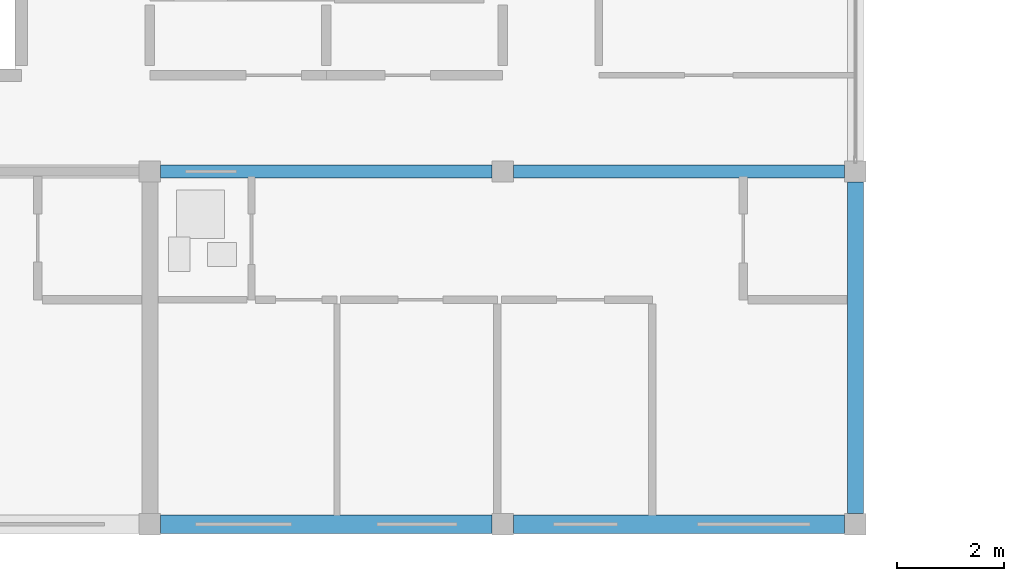
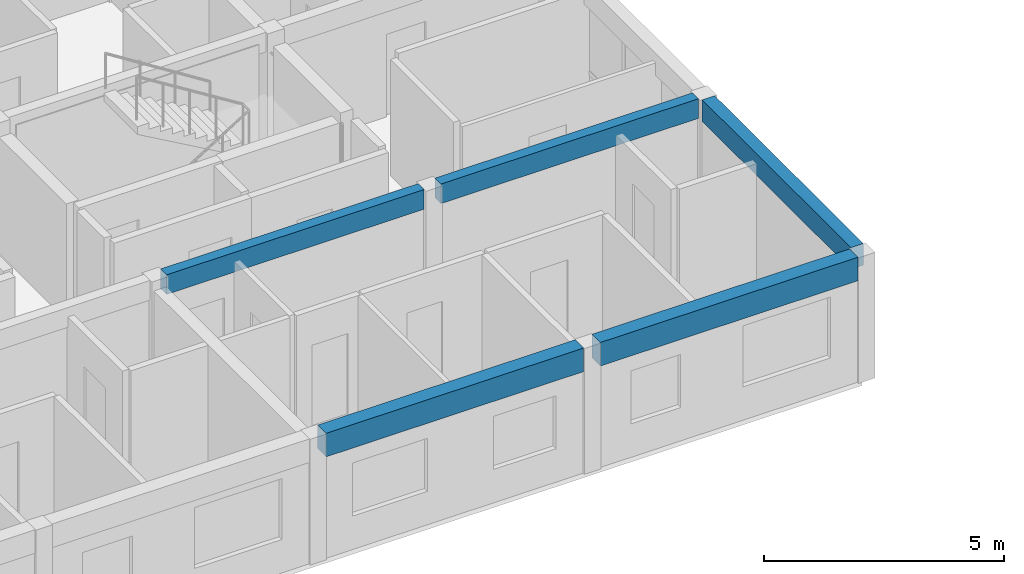
# One storey, part 7 of 45: 5 beams.
"""IFC4 building model written with IfcOpenShell, lengths in metres."""

from ifc_helpers import new_model, si_unit, direction, frame, origin, origin_2d, place, context, subcontext, project, spatial, rectangle, extrude, material, material_profile, profile_set, type_object, element, save


model = new_model("IFC4")

# Units and contexts
model_context = context("Model", 3, precision=1e-05, world=origin(), true_north=direction((0.0, 1.0)))
body_context = subcontext(model_context, "Body", "Model", "MODEL_VIEW")
ifc_project = project(units=[si_unit("LENGTHUNIT", "METRE"), si_unit("AREAUNIT", "SQUARE_METRE"), si_unit("VOLUMEUNIT", "CUBIC_METRE"), si_unit("PLANEANGLEUNIT", "RADIAN"), si_unit("MASSUNIT", "GRAM", prefix="KILO")], contexts=[model_context])

# Site, building, storey
site_placement = place(None, origin())
site = spatial("IfcSite", under=ifc_project, at=site_placement, CompositionType="ELEMENT")
building_placement = place(site_placement, origin())
building = spatial("IfcBuilding", under=site, at=building_placement, Name="Kernevlak Ridge Housing Community", CompositionType="ELEMENT")
storey_placement = place(building_placement, frame((0.0, 0.0, 14.800048828125)))
storey = spatial("IfcBuildingStorey", under=building, at=storey_placement, Name="L04", CompositionType="ELEMENT", Elevation=14.800048828125)

# Beams
ifc_material = material(Name="Concrete C35/45", Category="concrete")
ifc_material_profile_1 = material_profile(ifc_material, rectangle(XDim=0.25, YDim=0.5, at=origin_2d()), Name="RC 250x500")
ifc_profile_set_1 = profile_set([ifc_material_profile_1], Name="Concrete C35/45")
beam_type_1 = type_object("IfcBeamType", Name="B-06", PredefinedType="T_BEAM", material=ifc_profile_set_1)
for number, where, z_axis, x_axis, name in (
    (1, (29.0, 22.199951171875, 2.949951171875), (1.0, 0.0, 0.0), (0.0, 1.0, 0.0), "Beam B-06 L04 1416"),
    (2, (35.60009765625, 22.199951171875, 2.949951171875), (1.0, 0.0, 0.0), (0.0, 1.0, 0.0), "Beam B-06 L04 1417"),
):
    element("IfcBeam", number, at=place(storey_placement, frame(where, z_axis=z_axis, x_axis=x_axis)), inside=storey, type_object=beam_type_1, Name=name, PredefinedType="T_BEAM", context=body_context, shape_type="SweptSolid", body=[
        extrude(rectangle(XDim=0.25, YDim=0.5, at=origin_2d()), origin(), (0.0, 0.0, 1.0), 6.199951171875),
    ])
ifc_material_profile_2 = material_profile(ifc_material, rectangle(XDim=0.300048828125, YDim=0.550048828125, at=origin_2d()), Name="RC 300x550")
ifc_profile_set_2 = profile_set([ifc_material_profile_2], Name="Concrete C35/45")
beam_type_2 = type_object("IfcBeamType", Name="SP-01", PredefinedType="SPANDREL", material=ifc_profile_set_2)
beam_placement = place(storey_placement, frame((42.0, 15.800048828125, 2.925048828125), z_axis=(0.0, 1.0, 0.0), x_axis=(-1.0, 0.0, 0.0)))
element("IfcBeam", 3, at=beam_placement, inside=storey, type_object=beam_type_2, Name="Beam SP-01 L04 1429", PredefinedType="SPANDREL", context=body_context, shape_type="SweptSolid", body=[
    extrude(rectangle(XDim=0.300048828125, YDim=0.550048828125, at=origin_2d()), origin(), (0.0, 0.0, 1.0), 6.199951171875),
])
ifc_material_profile_3 = material_profile(ifc_material, rectangle(XDim=0.35009765625, YDim=0.60009765625, at=origin_2d()), Name="RC 350x600")
ifc_profile_set_3 = profile_set([ifc_material_profile_3], Name="Concrete C35/45")
beam_type_3 = type_object("IfcBeamType", Name="SP-03", PredefinedType="SPANDREL", material=ifc_profile_set_3)
for number, where, z_axis, x_axis, name in (
    (4, (29.0, 15.60009765625, 2.89990234375), (1.0, 0.0, 0.0), (0.0, 1.0, 0.0), "Beam SP-03 L04 1412"),
    (5, (35.60009765625, 15.60009765625, 2.89990234375), (1.0, 0.0, 0.0), (0.0, 1.0, 0.0), "Beam SP-03 L04 1413"),
):
    element("IfcBeam", number, at=place(storey_placement, frame(where, z_axis=z_axis, x_axis=x_axis)), inside=storey, type_object=beam_type_3, Name=name, PredefinedType="SPANDREL", context=body_context, shape_type="SweptSolid", body=[
        extrude(rectangle(XDim=0.35009765625, YDim=0.60009765625, at=origin_2d()), origin(), (0.0, 0.0, 1.0), 6.199951171875),
    ])

save(model, "model.ifc")
